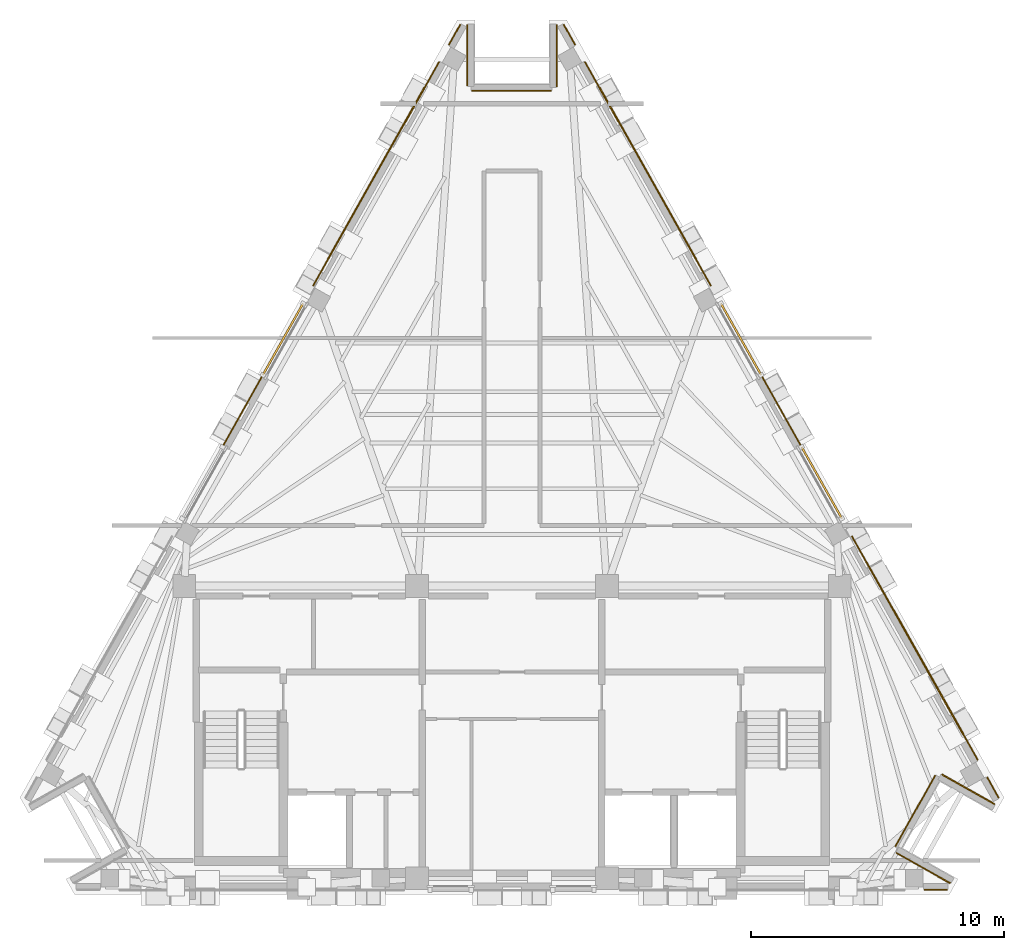
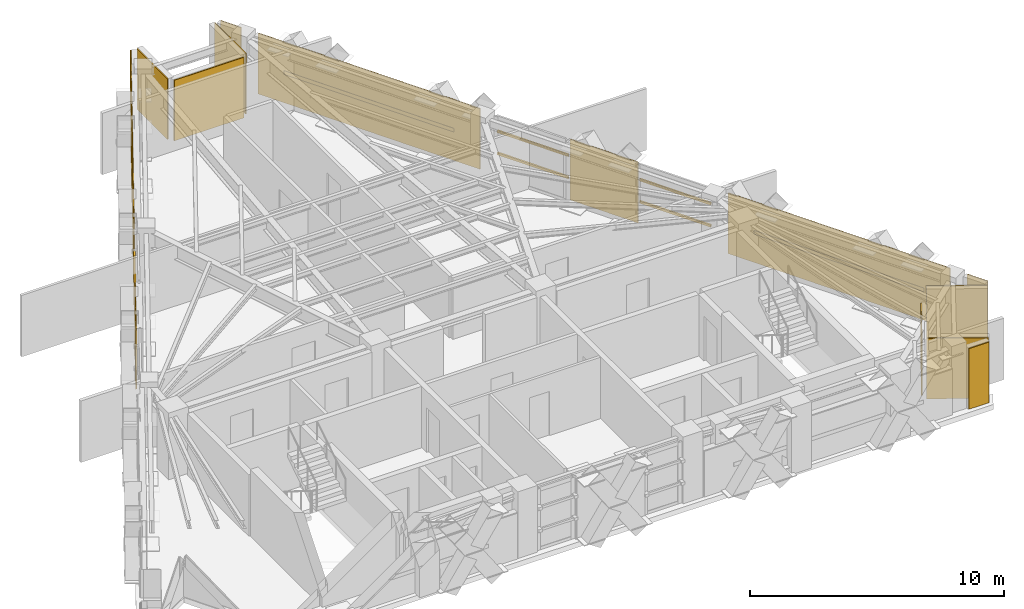
# One storey, part 8 of 8: 15 coverings, 9 shading devices.
"""IFC4 building model written with IfcOpenShell, lengths in metres."""

import ifcopenshell
import ifcopenshell.guid

model = None  # the IFC model being written
_history = None  # IfcOwnerHistory: only IFC2X3 demands one
_inside = {}  # id of a spatial element -> (the spatial element, [elements in it])
_under = {}  # id of a project, library or spatial element -> (it, [spatial elements below it])
_declared = {}  # id of a project -> (the project, [libraries it declares])
_typed = {}  # id of a type object -> (the type object, [elements of that type])
_made_of = {}  # id of a material, layer set ... -> (it, [elements and type objects made of it])


def new_model(schema):
    """Start an empty IFC model of exactly this schema.

    Asked for "IFC4X3", IfcOpenShell would pick the latest addendum, in which some entities
    have other attributes; the version numbers below select the first issue.
    IFC2X3 requires an IfcOwnerHistory on every rooted entity: one is made here for all.
    """
    global model, _history
    if schema == "IFC4X3":
        model = ifcopenshell.file(schema_version=(4, 3, 0, 0))
    else:
        model = ifcopenshell.file(schema=schema)
    _inside.clear()
    _under.clear()
    _declared.clear()
    _typed.clear()
    _made_of.clear()
    _history = None
    if model.schema == "IFC2X3":
        org = make("IfcOrganization", Name="unknown")
        user = make(
            "IfcPersonAndOrganization",
            ThePerson=make("IfcPerson", FamilyName="unknown"),
            TheOrganization=org,
        )
        app = make(
            "IfcApplication",
            ApplicationDeveloper=org,
            Version="unknown",
            ApplicationFullName="unknown",
            ApplicationIdentifier="unknown",
        )
        _history = make(
            "IfcOwnerHistory",
            OwningUser=user,
            OwningApplication=app,
            ChangeAction="ADDED",
            CreationDate=0,
        )
    return model


def make(cls, **values):
    """One entity of the class cls with the attributes given. An attribute that is None is left unset."""
    return model.create_entity(
        cls, **{name: value for name, value in values.items() if value is not None}
    )


def rooted(cls, **values):
    """An entity with a GlobalId (a new one), such as an element, a storey or a relation."""
    return make(cls, GlobalId=ifcopenshell.guid.new(), OwnerHistory=_history, **values)


def si_unit(unit_type, name, prefix=None):
    """IfcSIUnit, for example si_unit("LENGTHUNIT", "METRE", prefix="MILLI")."""
    return make("IfcSIUnit", UnitType=unit_type, Prefix=prefix, Name=name)


def assignment(units):
    """IfcUnitAssignment: the units of a project."""
    return None if units is None else make("IfcUnitAssignment", Units=units)


def point(xyz):
    """IfcCartesianPoint."""
    return None if xyz is None else make("IfcCartesianPoint", Coordinates=xyz)


def direction(xyz):
    """IfcDirection."""
    return None if xyz is None else make("IfcDirection", DirectionRatios=xyz)


def frame(location, z_axis=None, x_axis=None):
    """IfcAxis2Placement3D, a coordinate frame: its origin and axes. An axis left out is left unset."""
    return make(
        "IfcAxis2Placement3D",
        Location=point(location),
        Axis=direction(z_axis),
        RefDirection=direction(x_axis),
    )


def frame_2d(location, x_axis=None):
    """IfcAxis2Placement2D, a coordinate frame in the plane: its origin and x axis."""
    return make(
        "IfcAxis2Placement2D", Location=point(location), RefDirection=direction(x_axis)
    )


def origin():
    """The frame at (0, 0, 0) with its axes left unset."""
    return frame((0.0, 0.0, 0.0))


def origin_2d():
    """The frame at (0, 0) in the plane with its x axis left unset."""
    return frame_2d((0.0, 0.0))


def place(relative_to, where):
    """IfcLocalPlacement: puts the frame where relative to a parent placement (None: the world)."""
    return make(
        "IfcLocalPlacement", PlacementRelTo=relative_to, RelativePlacement=where
    )


def context(
    kind, dimensions, precision=None, world=None, true_north=None, identifier=None
):
    """IfcGeometricRepresentationContext, for example the 3D "Model" context."""
    return make(
        "IfcGeometricRepresentationContext",
        ContextIdentifier=identifier,
        ContextType=kind,
        CoordinateSpaceDimension=dimensions,
        Precision=precision,
        WorldCoordinateSystem=world,
        TrueNorth=true_north,
    )


def subcontext(parent, identifier, kind, view, scale=None):
    """IfcGeometricRepresentationSubContext, for example "Body" below "Model"."""
    return make(
        "IfcGeometricRepresentationSubContext",
        ContextIdentifier=identifier,
        ContextType=kind,
        ParentContext=parent,
        TargetScale=scale,
        TargetView=view,
    )


def project(units=None, contexts=None):
    """IfcProject with its units and contexts."""
    return rooted(
        "IfcProject",
        Name="project",
        RepresentationContexts=contexts,
        UnitsInContext=assignment(units),
    )


def spatial(cls, under=None, at=None, **own):
    """A site, building, storey or space (cls), placed at a placement, below another one or the project."""
    s = rooted(cls, ObjectPlacement=at, **own)
    if under is not None:
        _under.setdefault(under.id(), (under, []))[1].append(s)
    return s


def polyline(points):
    """IfcPolyline through the points."""
    return make("IfcPolyline", Points=[point(p) for p in points])


def profile(cls, at=None, kind="AREA", **sizes):
    """A parametric profile (cls). Its sizes go by their IFC names, for example OverallWidth=200.0."""
    return make(cls, ProfileType=kind, Position=at, **sizes)


def rectangle(**sizes):
    """IfcRectangleProfileDef."""
    return profile("IfcRectangleProfileDef", **sizes)


def outline(outer, holes=None, kind="AREA"):
    """IfcArbitraryClosedProfileDef: a profile drawn as a closed curve; with holes, ...WithVoids."""
    if holes is None:
        return make("IfcArbitraryClosedProfileDef", ProfileType=kind, OuterCurve=outer)
    return make(
        "IfcArbitraryProfileDefWithVoids",
        ProfileType=kind,
        OuterCurve=outer,
        InnerCurves=holes,
    )


def extrude(swept, where, along, depth):
    """IfcExtrudedAreaSolid: the profile swept, set in the frame where, extruded along a direction by depth."""
    return make(
        "IfcExtrudedAreaSolid",
        SweptArea=swept,
        Position=where,
        ExtrudedDirection=direction(along),
        Depth=depth,
    )


def shape(context_of_items, identifier, shape_type, items):
    """IfcShapeRepresentation: the items that make up one representation, for example the "Body"."""
    return make(
        "IfcShapeRepresentation",
        ContextOfItems=context_of_items,
        RepresentationIdentifier=identifier,
        RepresentationType=shape_type,
        Items=items,
    )


def material(Name=None, Category=None):
    """IfcMaterial."""
    return make("IfcMaterial", Name=Name, Category=Category)


def layer(
    of_material, thickness, ventilated=None, Name=None, Category=None, Priority=None
):
    """IfcMaterialLayer: one layer of a wall or slab, of a material (None: an air gap)."""
    return make(
        "IfcMaterialLayer",
        Material=of_material,
        LayerThickness=thickness,
        IsVentilated=ventilated,
        Name=Name,
        Category=Category,
        Priority=Priority,
    )


def layer_set(layers, Name=None):
    """IfcMaterialLayerSet."""
    return make("IfcMaterialLayerSet", MaterialLayers=layers, LayerSetName=Name)


def material_profile(
    of_material, cross_section, Name=None, Category=None, Priority=None
):
    """IfcMaterialProfile: a cross section and its material."""
    return make(
        "IfcMaterialProfile",
        Name=Name,
        Material=of_material,
        Profile=cross_section,
        Priority=Priority,
        Category=Category,
    )


def profile_set(profiles, Name=None, composite=None):
    """IfcMaterialProfileSet."""
    return make(
        "IfcMaterialProfileSet",
        Name=Name,
        MaterialProfiles=profiles,
        CompositeProfile=composite,
    )


def made_of(thing, what):
    """Note that an element or type object is made of a material, layer set ...; save() writes the relation."""
    if what is not None:
        _made_of.setdefault(what.id(), (what, []))[1].append(thing)
    return thing


def type_object(cls, material=None, **own):
    """A type object (cls), such as IfcWallType, which elements share."""
    return made_of(rooted(cls, **own), material)


def element(
    cls,
    number,
    at=None,
    inside=None,
    cuts=None,
    type_object=None,
    material=None,
    context=None,
    identifier="Body",
    shape_type=None,
    held_by="IfcProductDefinitionShape",
    body=None,
    shapes=None,
    **own,
):
    """One element of the class cls, such as IfcWall. Its Tag is "e" and its number.

    at: its placement. inside: the storey or other place that contains it. cuts: it is an
    opening in that element (IfcRelVoidsElement). A single representation is given by context,
    identifier, shape_type and body (its items); several are given by shapes. held_by: the class
    of the entity that holds the representations. save() writes the other relations.
    """
    e = rooted(cls, Tag="e%d" % number, ObjectPlacement=at, **own)
    if body is not None:
        shapes = [shape(context, identifier, shape_type, body)]
    if shapes is not None:
        e.Representation = make(held_by, Representations=shapes)
    if inside is not None:
        _inside.setdefault(inside.id(), (inside, []))[1].append(e)
    if cuts is not None:
        rooted(
            "IfcRelVoidsElement", RelatingBuildingElement=cuts, RelatedOpeningElement=e
        )
    if type_object is not None:
        _typed.setdefault(type_object.id(), (type_object, []))[1].append(e)
    return made_of(e, material)


def aggregate(whole, parts):
    """IfcRelAggregates: a whole, such as a stair, and the parts it consists of."""
    return rooted("IfcRelAggregates", RelatingObject=whole, RelatedObjects=parts)


def save(model, path):
    """Write the relations noted so far, then the file.

    IfcRelAggregates (storeys below a building ...), IfcRelContainedInSpatialStructure (elements
    in a storey), IfcRelDefinesByType, IfcRelAssociatesMaterial and IfcRelDeclares: one each for
    every whole, place, type object, material and project.
    """
    for whole, parts in _under.values():
        aggregate(whole, parts)
    for where, things in _inside.values():
        rooted(
            "IfcRelContainedInSpatialStructure",
            RelatedElements=things,
            RelatingStructure=where,
        )
    for kind, things in _typed.values():
        rooted("IfcRelDefinesByType", RelatedObjects=things, RelatingType=kind)
    for what, things in _made_of.values():
        rooted("IfcRelAssociatesMaterial", RelatedObjects=things, RelatingMaterial=what)
    for by, libraries in _declared.values():
        rooted("IfcRelDeclares", RelatingContext=by, RelatedDefinitions=libraries)
    model.write(path)


model = new_model("IFC4")

# Units and contexts
model_context = context("Model", 3, precision=1e-05, world=origin(), true_north=direction((0.0, 1.0)))
body_context = subcontext(model_context, "Body", "Model", "MODEL_VIEW")
ifc_project = project(units=[si_unit("LENGTHUNIT", "METRE"), si_unit("AREAUNIT", "SQUARE_METRE"), si_unit("VOLUMEUNIT", "CUBIC_METRE"), si_unit("PLANEANGLEUNIT", "RADIAN"), si_unit("MASSUNIT", "GRAM", prefix="KILO")], contexts=[model_context])

# Site, building, storey
site_placement = place(None, origin())
site = spatial("IfcSite", under=ifc_project, at=site_placement, CompositionType="ELEMENT")
building_placement = place(site_placement, origin())
building = spatial("IfcBuilding", under=site, at=building_placement, Name="Quenlor Broadcast Tower", CompositionType="ELEMENT")
storey_placement = place(building_placement, frame((0.0, 0.0, 283.699951171875)))
storey = spatial("IfcBuildingStorey", under=building, at=storey_placement, Name="L79", CompositionType="ELEMENT", Elevation=283.699951171875)

# Shading devices
ifc_material_1 = material(Name="Architectural Terracotta Ceramic", Category="masonry")
ifc_material_profile_1 = material_profile(ifc_material_1, rectangle(XDim=0.074951171875, YDim=0.110107421875, at=origin_2d()))
ifc_profile_set_1 = profile_set([ifc_material_profile_1], Name="Architectural Terracotta Ceramic BAG75x110")
shading_device_type_1 = type_object("IfcShadingDeviceType", Name="Copper Terracotta Crown Baguette Screen 110", PredefinedType="USERDEFINED", material=ifc_profile_set_1)
for number, where, z_axis, x_axis, name in (
    (1, (8.2529296875, 6.36181640625, 1.06201171875), (0.490261239633, -0.871575537125, 0.0), (0.871575537125, 0.490261239633, 0.0), "L79 Terracotta Baguette Screen 1"),
    (2, (8.2529296875, 6.36181640625, 2.1240234375), (0.490261239633, -0.871575537125, 0.0), (0.871575537125, 0.490261239633, 0.0), "L79 Terracotta Baguette Screen 2"),
):
    element("IfcShadingDevice", number, at=place(storey_placement, frame(where, z_axis=z_axis, x_axis=x_axis)), inside=storey, type_object=shading_device_type_1, Name=name, ObjectType="BAGUETTE", PredefinedType="USERDEFINED", context=body_context, shape_type="SweptSolid", body=[
        extrude(rectangle(XDim=0.074951171875, YDim=0.110107421875, at=origin_2d()), origin(), (0.0, 0.0, 1.0), 3.244873046875),
    ])
for number, where, z_axis, x_axis, name in (
    (3, (11.443115234375, 0.690185546875, 1.06201171875), (0.490293391267, -0.87155745105, 0.0), (0.87155745105, 0.490293391267, 0.0), "L79 Terracotta Baguette Screen 1"),
    (4, (11.443115234375, 0.690185546875, 2.1240234375), (0.490293391267, -0.87155745105, 0.0), (0.87155745105, 0.490293391267, 0.0), "L79 Terracotta Baguette Screen 2"),
):
    element("IfcShadingDevice", number, at=place(storey_placement, frame(where, z_axis=z_axis, x_axis=x_axis)), inside=storey, type_object=shading_device_type_1, Name=name, ObjectType="BAGUETTE", PredefinedType="USERDEFINED", context=body_context, shape_type="SweptSolid", body=[
        extrude(rectangle(XDim=0.074951171875, YDim=0.110107421875, at=origin_2d()), origin(), (0.0, 0.0, 1.0), 3.24462890625),
    ])
for number, where, z_axis, x_axis, name in (
    (5, (-9.84375, 3.53369140625, 1.06201171875), (0.490261239633, 0.871575537125, 0.0), (-0.871575537125, 0.490261239633, 0.0), "L79 Terracotta Baguette Screen 1"),
    (6, (-9.84375, 3.53369140625, 2.1240234375), (0.490261239633, 0.871575537125, 0.0), (-0.871575537125, 0.490261239633, 0.0), "L79 Terracotta Baguette Screen 2"),
):
    element("IfcShadingDevice", number, at=place(storey_placement, frame(where, z_axis=z_axis, x_axis=x_axis)), inside=storey, type_object=shading_device_type_1, Name=name, ObjectType="BAGUETTE", PredefinedType="USERDEFINED", context=body_context, shape_type="SweptSolid", body=[
        extrude(rectangle(XDim=0.074951171875, YDim=0.110107421875, at=origin_2d()), origin(), (0.0, 0.0, 1.0), 3.244873046875),
    ])

# Coverings
ifc_material_2 = material(Name="Architectural Terracotta Ceramic", Category="masonry")
ifc_layer = layer(ifc_material_2, 0.044921875)
ifc_layer_set = layer_set([ifc_layer], Name="Fluted Terracotta Rainscreen Cladding Panel")
covering_type = type_object("IfcCoveringType", Name="Fluted Terracotta Rainscreen Cladding Panel", PredefinedType="CLADDING", material=ifc_layer_set)
covering_1_placement = place(storey_placement, frame((0.0, 0.0, 0.02001953125)))
element("IfcCovering", 7, at=covering_1_placement, inside=storey, type_object=covering_type, Name="L79 Terracotta Rainscreen Cladding L79-SHD-SS0", PredefinedType="CLADDING", context=body_context, shape_type="SweptSolid", body=[
    extrude(outline(polyline([(17.18994140625, -16.787109375), (16.28271484375, -16.787109375), (16.28271484375, -16.83203125), (17.18994140625, -16.83203125), (17.18994140625, -16.787109375)])), origin(), (0.0, 0.0, 1.0), 2.909912109375),
])
covering_2_placement = place(storey_placement, frame((0.0, 0.0, 0.02001953125)))
element("IfcCovering", 8, at=covering_2_placement, inside=storey, type_object=covering_type, Name="L79 Terracotta Rainscreen Cladding L79-SHD-NES0", PredefinedType="CLADDING", context=body_context, shape_type="SweptSolid", body=[
    extrude(outline(polyline([(2.018310546875, 17.377197265625), (2.476806640625, 16.5625), (2.51611328125, 16.58447265625), (2.0576171875, 17.399169921875), (2.018310546875, 17.377197265625)])), origin(), (0.0, 0.0, 1.0), 2.909912109375),
])
covering_3_placement = place(storey_placement, frame((0.0, 0.0, 0.02001953125)))
element("IfcCovering", 9, at=covering_3_placement, inside=storey, type_object=covering_type, Name="L79 Terracotta Rainscreen Cladding L79-SHD-NES1", PredefinedType="CLADDING", context=body_context, shape_type="SweptSolid", body=[
    extrude(outline(polyline([(18.751708984375, -12.37109375), (19.210205078125, -13.185791015625), (19.24951171875, -13.163818359375), (18.791015625, -12.34912109375), (18.751708984375, -12.37109375)])), origin(), (0.0, 0.0, 1.0), 2.909912109375),
])
covering_4_placement = place(storey_placement, frame((0.0, 0.0, 0.02001953125)))
element("IfcCovering", 10, at=covering_4_placement, inside=storey, type_object=covering_type, Name="L79 Terracotta Rainscreen Cladding L79-EW-NEA", PredefinedType="CLADDING", context=body_context, shape_type="SweptSolid", body=[
    extrude(outline(polyline([(2.86279296875, 15.896240234375), (7.84228515625, 7.044189453125), (7.881591796875, 7.066162109375), (2.902099609375, 15.918212890625), (2.86279296875, 15.896240234375)])), origin(), (0.0, 0.0, 1.0), 2.909912109375),
])
covering_5_placement = place(storey_placement, frame((0.0, 0.0, 0.02001953125)))
element("IfcCovering", 11, at=covering_5_placement, inside=storey, type_object=covering_type, Name="L79 Terracotta Rainscreen Cladding L79-EW-NEC", PredefinedType="CLADDING", context=body_context, shape_type="SweptSolid", body=[
    extrude(outline(polyline([(13.40380859375, -2.843017578125), (18.383056640625, -11.695068359375), (18.42236328125, -11.673095703125), (13.443115234375, -2.821044921875), (13.40380859375, -2.843017578125)])), origin(), (0.0, 0.0, 1.0), 2.909912109375),
])
covering_6_placement = place(storey_placement, frame((0.0, 0.0, 0.02001953125)))
element("IfcCovering", 12, at=covering_6_placement, inside=storey, type_object=covering_type, Name="L79 Terracotta Rainscreen Cladding L79-NE-SP1", PredefinedType="CLADDING", context=body_context, shape_type="SweptSolid", body=[
    extrude(outline(polyline([(9.858154296875, 3.46044921875), (11.387939453125, 0.74072265625), (11.427001953125, 0.7626953125), (9.8974609375, 3.482421875), (9.858154296875, 3.46044921875)])), origin(), (0.0, 0.0, 1.0), 2.909912109375),
])
covering_7_placement = place(storey_placement, frame((0.0, 0.0, 0.02001953125)))
element("IfcCovering", 13, at=covering_7_placement, inside=storey, type_object=covering_type, Name="L79 Terracotta Rainscreen Cladding L79-SHD-NWS1", PredefinedType="CLADDING", context=body_context, shape_type="SweptSolid", body=[
    extrude(outline(polyline([(-2.476806640625, 16.5625), (-2.018310546875, 17.377197265625), (-2.0576171875, 17.399169921875), (-2.51611328125, 16.58447265625), (-2.476806640625, 16.5625)])), origin(), (0.0, 0.0, 1.0), 2.909912109375),
])
covering_8_placement = place(storey_placement, frame((0.0, 0.0, 0.02001953125)))
element("IfcCovering", 14, at=covering_8_placement, inside=storey, type_object=covering_type, Name="L79 Terracotta Rainscreen Cladding L79-EW-NWC", PredefinedType="CLADDING", context=body_context, shape_type="SweptSolid", body=[
    extrude(outline(polyline([(-7.84228515625, 7.044189453125), (-2.86279296875, 15.896240234375), (-2.902099609375, 15.918212890625), (-7.881591796875, 7.066162109375), (-7.84228515625, 7.044189453125)])), origin(), (0.0, 0.0, 1.0), 2.909912109375),
])
covering_9_placement = place(storey_placement, frame((0.0, 0.0, 0.02001953125)))
element("IfcCovering", 15, at=covering_9_placement, inside=storey, type_object=covering_type, Name="L79 Terracotta Rainscreen Cladding L79-NW-SP1", PredefinedType="CLADDING", context=body_context, shape_type="SweptSolid", body=[
    extrude(outline(polyline([(-11.387939453125, 0.74072265625), (-9.858154296875, 3.46044921875), (-9.8974609375, 3.482421875), (-11.427001953125, 0.7626953125), (-11.387939453125, 0.74072265625)])), origin(), (0.0, 0.0, 1.0), 2.909912109375),
])
covering_10_placement = place(storey_placement, frame((0.0, 0.0, 0.02001953125)))
element("IfcCovering", 16, at=covering_10_placement, inside=storey, type_object=covering_type, Name="L79 Terracotta Rainscreen Cladding L79-CNR-01", PredefinedType="CLADDING", context=body_context, shape_type="SweptSolid", body=[
    extrude(outline(polyline([(17.32666015625, -16.529541015625), (15.199951171875, -15.333251953125), (15.177978515625, -15.372314453125), (17.3046875, -16.568603515625), (17.32666015625, -16.529541015625)])), origin(), (0.0, 0.0, 1.0), 2.909912109375),
])
covering_11_placement = place(storey_placement, frame((0.0, 0.0, 0.02001953125)))
element("IfcCovering", 17, at=covering_11_placement, inside=storey, type_object=covering_type, Name="L79 Terracotta Rainscreen Cladding L79-CNR-02", PredefinedType="CLADDING", context=body_context, shape_type="SweptSolid", body=[
    extrude(outline(polyline([(15.16552734375, -15.10498046875), (16.7421875, -12.302001953125), (16.702880859375, -12.280029296875), (15.126220703125, -15.0830078125), (15.16552734375, -15.10498046875)])), origin(), (0.0, 0.0, 1.0), 2.194091796875),
])
covering_12_placement = place(storey_placement, frame((0.0, 0.0, 0.02001953125)))
element("IfcCovering", 18, at=covering_12_placement, inside=storey, type_object=covering_type, Name="L79 Terracotta Rainscreen Cladding L79-CNR-03", PredefinedType="CLADDING", context=body_context, shape_type="SweptSolid", body=[
    extrude(outline(polyline([(16.970458984375, -12.267578125), (19.062255859375, -13.444091796875), (19.084228515625, -13.405029296875), (16.992431640625, -12.228271484375), (16.970458984375, -12.267578125)])), origin(), (0.0, 0.0, 1.0), 2.909912109375),
])
covering_13_placement = place(storey_placement, frame((0.0, 0.0, 0.02001953125)))
element("IfcCovering", 19, at=covering_13_placement, inside=storey, type_object=covering_type, Name="L79 Terracotta Rainscreen Cladding L79-CNR-07", PredefinedType="CLADDING", context=body_context, shape_type="SweptSolid", body=[
    extrude(outline(polyline([(1.74072265625, 17.3701171875), (1.74072265625, 14.929931640625), (1.785888671875, 14.929931640625), (1.785888671875, 17.3701171875), (1.74072265625, 17.3701171875)])), origin(), (0.0, 0.0, 1.0), 2.909912109375),
])
covering_14_placement = place(storey_placement, frame((0.0, 0.0, 0.02001953125)))
element("IfcCovering", 20, at=covering_14_placement, inside=storey, type_object=covering_type, Name="L79 Terracotta Rainscreen Cladding L79-CNR-08", PredefinedType="CLADDING", context=body_context, shape_type="SweptSolid", body=[
    extrude(outline(polyline([(1.558837890625, 14.7880859375), (-1.598876953125, 14.7880859375), (-1.598876953125, 14.742919921875), (1.558837890625, 14.742919921875), (1.558837890625, 14.7880859375)])), origin(), (0.0, 0.0, 1.0), 2.909912109375),
])
covering_15_placement = place(storey_placement, frame((0.0, 0.0, 0.02001953125)))
element("IfcCovering", 21, at=covering_15_placement, inside=storey, type_object=covering_type, Name="L79 Terracotta Rainscreen Cladding L79-CNR-09", PredefinedType="CLADDING", context=body_context, shape_type="SweptSolid", body=[
    extrude(outline(polyline([(-1.74072265625, 14.969970703125), (-1.74072265625, 17.3701171875), (-1.785888671875, 17.3701171875), (-1.785888671875, 14.969970703125), (-1.74072265625, 14.969970703125)])), origin(), (0.0, 0.0, 1.0), 2.909912109375),
])

# Shading devices
ifc_material_3 = material(Name="Architectural Terracotta Ceramic", Category="masonry")
ifc_material_profile_2 = material_profile(ifc_material_3, rectangle(XDim=0.06005859375, YDim=0.179931640625, at=origin_2d()))
ifc_profile_set_2 = profile_set([ifc_material_profile_2], Name="Architectural Terracotta Ceramic LVR60x180")
shading_device_type_2 = type_object("IfcShadingDeviceType", Name="Terracotta Acoustic Plant Weather Louvre 180", PredefinedType="JALOUSIE", material=ifc_profile_set_2)
shading_device_1_placement = place(storey_placement, frame((3.471923828125, 14.866455078125, 1.47509765625), z_axis=(0.490262732485, -0.871574697393, 0.0), x_axis=(0.871574697393, 0.490262732485, 0.0)))
element("IfcShadingDevice", 22, at=shading_device_1_placement, inside=storey, type_object=shading_device_type_2, Name="L79 Plant Weather Louvre L79-LV-NEA", PredefinedType="JALOUSIE", context=body_context, shape_type="SweptSolid", body=[
    extrude(rectangle(XDim=0.06005859375, YDim=0.179931640625, at=origin_2d()), origin(), (0.0, 0.0, 1.0), 7.764404296875),
])
shading_device_2_placement = place(storey_placement, frame((14.0126953125, -3.872802734375, 1.47509765625), z_axis=(0.490276168503, -0.871567139467, 0.0), x_axis=(0.871567139467, 0.490276168503, 0.0)))
element("IfcShadingDevice", 23, at=shading_device_2_placement, inside=storey, type_object=shading_device_type_2, Name="L79 Plant Weather Louvre L79-LV-NEC", PredefinedType="JALOUSIE", context=body_context, shape_type="SweptSolid", body=[
    extrude(rectangle(XDim=0.06005859375, YDim=0.179931640625, at=origin_2d()), origin(), (0.0, 0.0, 1.0), 7.76416015625),
])
shading_device_3_placement = place(storey_placement, frame((-7.278564453125, 8.09912109375, 1.47509765625), z_axis=(0.490262732485, 0.871574697393, 0.0), x_axis=(-0.871574697393, 0.490262732485, 0.0)))
element("IfcShadingDevice", 24, at=shading_device_3_placement, inside=storey, type_object=shading_device_type_2, Name="L79 Plant Weather Louvre L79-LV-NWC", PredefinedType="JALOUSIE", context=body_context, shape_type="SweptSolid", body=[
    extrude(rectangle(XDim=0.06005859375, YDim=0.179931640625, at=origin_2d()), origin(), (0.0, 0.0, 1.0), 7.764404296875),
])

save(model, "model.ifc")
